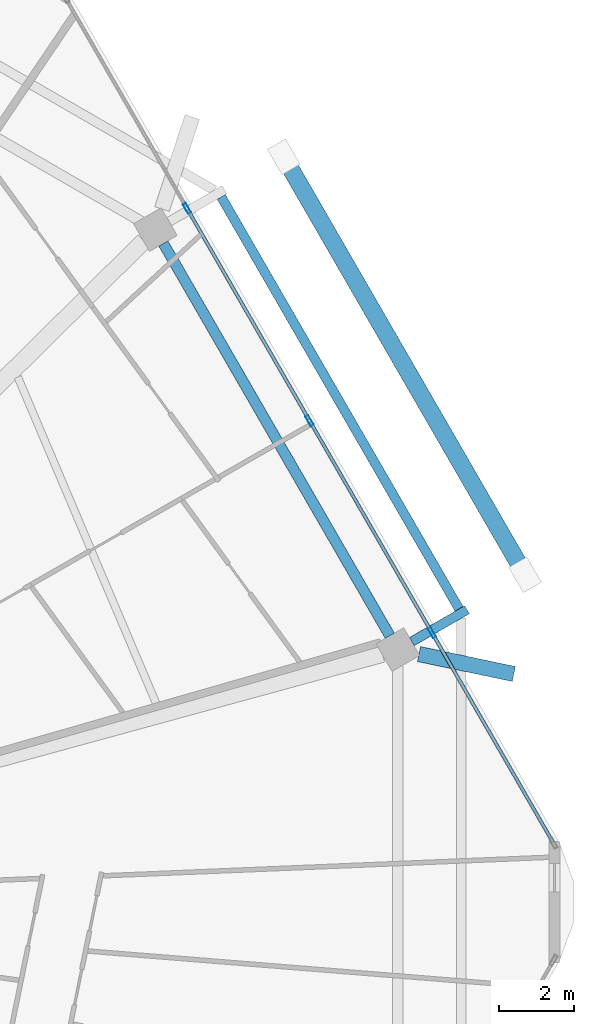
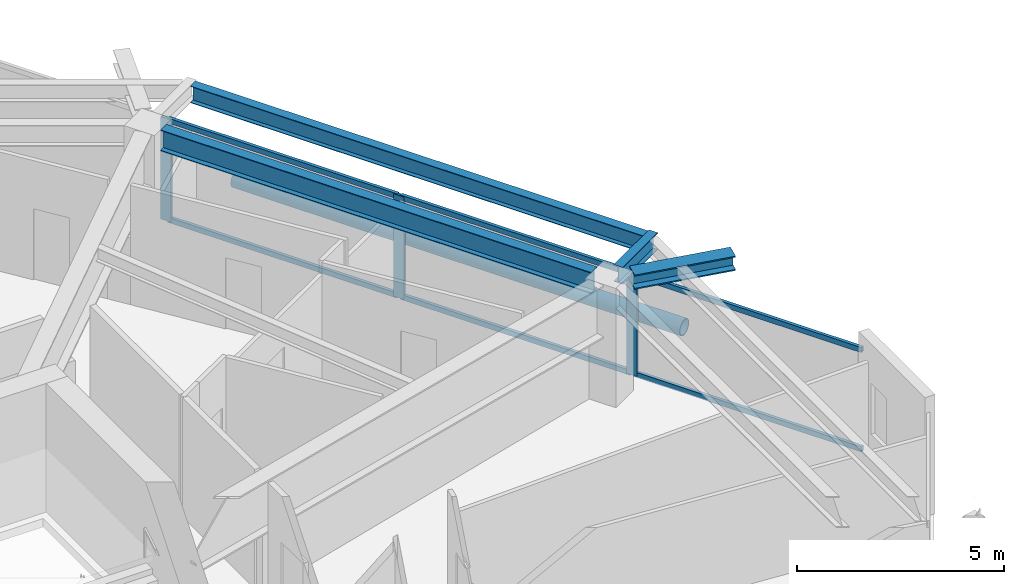
# One storey, part 16 of 26: 10 members, 4 beams, 1 element without a shape of its own.
"""IFC4 building model written with IfcOpenShell, lengths in metres."""

from ifc_helpers import new_model, si_unit, direction, frame, origin, origin_2d, place, context, subcontext, project, spatial, hollow_rectangle, hollow_circle, i_section, extrude, material, material_profile, profile_set, type_object, element, aggregate, save


model = new_model("IFC4")

# Units and contexts
model_context = context("Model", 3, precision=1e-05, world=origin(), true_north=direction((0.0, 1.0)))
body_context = subcontext(model_context, "Body", "Model", "MODEL_VIEW")
ifc_project = project(units=[si_unit("LENGTHUNIT", "METRE"), si_unit("AREAUNIT", "SQUARE_METRE"), si_unit("VOLUMEUNIT", "CUBIC_METRE"), si_unit("PLANEANGLEUNIT", "RADIAN"), si_unit("MASSUNIT", "GRAM", prefix="KILO")], contexts=[model_context])

# Site, building, storey
site_placement = place(None, origin())
site = spatial("IfcSite", under=ifc_project, at=site_placement, CompositionType="ELEMENT")
building_placement = place(site_placement, origin())
building = spatial("IfcBuilding", under=site, at=building_placement, Name="Zuhravey Tower", CompositionType="ELEMENT")
storey_placement = place(building_placement, frame((0.0, 0.0, 299.60009765625)))
storey = spatial("IfcBuildingStorey", under=building, at=storey_placement, Name="L76", CompositionType="ELEMENT", Elevation=299.60009765625)

# Curtain wall, members
ifc_material_1 = material(Name="Thermally broken anodised aluminium", Category="aluminium")
curtain_wall_type = type_object("IfcCurtainWallType", Name="Zone 3-4 High-Rise Curtain Wall CW4", PredefinedType="NOTDEFINED", material=ifc_material_1)
curtain_wall_placement = place(storey_placement, origin())
curtain_wall = element("IfcCurtainWall", 1, at=curtain_wall_placement, inside=storey, type_object=curtain_wall_type, Name="L76 CW4 CW-L76-F1-1", PredefinedType="NOTDEFINED")
ifc_material_2 = material(Name="Anodised aluminium", Category="aluminium")
ifc_material_profile_1 = material_profile(ifc_material_2, hollow_rectangle(XDim=0.090087890625, YDim=0.284912109375, WallThickness=0.0048828125, at=origin_2d()), Name="ALU-RHS-90x285x5")
ifc_profile_set_1 = profile_set([ifc_material_profile_1], Name="Anodised aluminium")
member_type_1 = type_object("IfcMemberType", Name="Curtain-Wall Mullion 90x180", PredefinedType="MULLION", material=ifc_profile_set_1)
member_1_placement = place(storey_placement, frame((54.885498046875, 50.41650390625, 0.0), z_axis=(0.0, 0.0, 1.0), x_axis=(0.866024851021, 0.500000957414, 0.0)))
member_1 = element("IfcMember", 2, at=member_1_placement, type_object=member_type_1, Name="CW4 mullion 2", PredefinedType="MULLION", context=body_context, shape_type="SweptSolid", body=[
    extrude(hollow_rectangle(XDim=0.090087890625, YDim=0.284912109375, WallThickness=0.0048828125, at=origin_2d()), origin(), (0.0, 0.0, 1.0), 3.02001953125),
])
member_2_placement = place(storey_placement, frame((58.138671875, 44.78173828125, 0.0), z_axis=(0.0, 0.0, 1.0), x_axis=(0.866024851021, 0.500000957414, 0.0)))
member_2 = element("IfcMember", 3, at=member_2_placement, type_object=member_type_1, Name="CW4 mullion 3", PredefinedType="MULLION", context=body_context, shape_type="SweptSolid", body=[
    extrude(hollow_rectangle(XDim=0.090087890625, YDim=0.284912109375, WallThickness=0.0048828125, at=origin_2d()), origin(), (0.0, 0.0, 1.0), 3.02001953125),
])
member_3_placement = place(storey_placement, frame((61.391845703125, 39.147216796875, 0.0), z_axis=(0.0, 0.0, 1.0), x_axis=(0.866024851021, 0.500000957414, 0.0)))
member_3 = element("IfcMember", 4, at=member_3_placement, type_object=member_type_1, Name="CW4 mullion 4", PredefinedType="MULLION", context=body_context, shape_type="SweptSolid", body=[
    extrude(hollow_rectangle(XDim=0.090087890625, YDim=0.284912109375, WallThickness=0.0048828125, at=origin_2d()), origin(), (0.0, 0.0, 1.0), 3.02001953125),
])
ifc_material_profile_2 = material_profile(ifc_material_2, hollow_rectangle(XDim=0.090087890625, YDim=0.14990234375, WallThickness=0.0048828125, at=origin_2d()), Name="ALU-RHS-90x150x5")
ifc_profile_set_2 = profile_set([ifc_material_profile_2], Name="Anodised aluminium")
member_type_2 = type_object("IfcMemberType", Name="Curtain-Wall Transom 90x150", PredefinedType="USERDEFINED", material=ifc_profile_set_2)
member_4_placement = place(storey_placement, frame((54.907958984375, 50.37744140625, 0.044921875), z_axis=(0.500014493347, -0.866017035885, 0.0), x_axis=(0.866017035885, 0.500014493347, 0.0)))
member_4 = element("IfcMember", 5, at=member_4_placement, type_object=member_type_2, Name="CW4 transom 2.1", ObjectType="TRANSOM", PredefinedType="USERDEFINED", context=body_context, shape_type="SweptSolid", body=[
    extrude(hollow_rectangle(XDim=0.090087890625, YDim=0.14990234375, WallThickness=0.0048828125, at=origin_2d()), origin(), (0.0, 0.0, 1.0), 6.416259765625),
])
member_5_placement = place(storey_placement, frame((54.907958984375, 50.37744140625, 2.974853515625), z_axis=(0.500014493347, -0.866017035885, 0.0), x_axis=(0.866017035885, 0.500014493347, 0.0)))
member_5 = element("IfcMember", 6, at=member_5_placement, type_object=member_type_2, Name="CW4 transom 2.2", ObjectType="TRANSOM", PredefinedType="USERDEFINED", context=body_context, shape_type="SweptSolid", body=[
    extrude(hollow_rectangle(XDim=0.090087890625, YDim=0.14990234375, WallThickness=0.0048828125, at=origin_2d()), origin(), (0.0, 0.0, 1.0), 6.416259765625),
])
member_6_placement = place(storey_placement, frame((58.1611328125, 44.742919921875, 0.044921875), z_axis=(0.499998017366, -0.866026548456, 0.0), x_axis=(0.866026548456, 0.499998017366, 0.0)))
member_6 = element("IfcMember", 7, at=member_6_placement, type_object=member_type_2, Name="CW4 transom 3.1", ObjectType="TRANSOM", PredefinedType="USERDEFINED", context=body_context, shape_type="SweptSolid", body=[
    extrude(hollow_rectangle(XDim=0.090087890625, YDim=0.14990234375, WallThickness=0.0048828125, at=origin_2d()), origin(), (0.0, 0.0, 1.0), 6.41650390625),
])
member_7_placement = place(storey_placement, frame((58.1611328125, 44.742919921875, 2.974853515625), z_axis=(0.499998017366, -0.866026548456, 0.0), x_axis=(0.866026548456, 0.499998017366, 0.0)))
member_7 = element("IfcMember", 8, at=member_7_placement, type_object=member_type_2, Name="CW4 transom 3.2", ObjectType="TRANSOM", PredefinedType="USERDEFINED", context=body_context, shape_type="SweptSolid", body=[
    extrude(hollow_rectangle(XDim=0.090087890625, YDim=0.14990234375, WallThickness=0.0048828125, at=origin_2d()), origin(), (0.0, 0.0, 1.0), 6.41650390625),
])
member_8_placement = place(storey_placement, frame((61.414306640625, 39.108154296875, 0.044921875), z_axis=(0.500008810174, -0.866020317169, 0.0), x_axis=(0.866020317169, 0.500008810174, 0.0)))
member_8 = element("IfcMember", 9, at=member_8_placement, type_object=member_type_2, Name="CW4 transom 4.1", ObjectType="TRANSOM", PredefinedType="USERDEFINED", context=body_context, shape_type="SweptSolid", body=[
    extrude(hollow_rectangle(XDim=0.090087890625, YDim=0.14990234375, WallThickness=0.0048828125, at=origin_2d()), origin(), (0.0, 0.0, 1.0), 6.37158203125),
])
member_9_placement = place(storey_placement, frame((61.414306640625, 39.108154296875, 2.974853515625), z_axis=(0.500008810174, -0.866020317169, 0.0), x_axis=(0.866020317169, 0.500008810174, 0.0)))
member_9 = element("IfcMember", 10, at=member_9_placement, type_object=member_type_2, Name="CW4 transom 4.2", ObjectType="TRANSOM", PredefinedType="USERDEFINED", context=body_context, shape_type="SweptSolid", body=[
    extrude(hollow_rectangle(XDim=0.090087890625, YDim=0.14990234375, WallThickness=0.0048828125, at=origin_2d()), origin(), (0.0, 0.0, 1.0), 6.37158203125),
])
aggregate(curtain_wall, [member_1, member_2, member_3, member_4, member_5, member_6, member_7, member_8, member_9])

# Beam
ifc_material_3 = material(Name="Steel SM460", Category="steel")
ifc_material_profile_3 = material_profile(ifc_material_3, i_section(OverallWidth=0.406982421875, OverallDepth=0.427978515625, WebThickness=0.02001953125, FlangeThickness=0.034912109375, at=origin_2d()), Name="H-428x407x20x35")
ifc_profile_set_3 = profile_set([ifc_material_profile_3], Name="Steel SM460")
beam_type_1 = type_object("IfcBeamType", Name="Exoskeleton Node Tie Beam H428x407", PredefinedType="BEAM", material=ifc_profile_set_3)
beam_1_placement = place(storey_placement, frame((61.046630859375, 38.5810546875, 3.305908203125), z_axis=(0.978735702866, -0.205125385888, 0.0), x_axis=(0.205125385888, 0.978735702866, 0.0)))
element("IfcBeam", 11, at=beam_1_placement, inside=storey, type_object=beam_type_1, Name="L76 Exoskeleton Node Tie NT1-01", PredefinedType="BEAM", context=body_context, shape_type="SweptSolid", body=[
    extrude(i_section(OverallWidth=0.406982421875, OverallDepth=0.427978515625, WebThickness=0.02001953125, FlangeThickness=0.034912109375, at=origin_2d()), origin(), (0.0, 0.0, 1.0), 2.572021484375),
])

# Member
ifc_material_4 = material(Name="Steel SM355", Category="steel")
ifc_material_profile_4 = material_profile(ifc_material_4, hollow_circle(Radius=0.228515625, WallThickness=0.02197265625, at=origin_2d()), Name="CHS-457.2x22")
ifc_profile_set_4 = profile_set([ifc_material_profile_4], Name="Steel SM355")
member_type_3 = type_object("IfcMemberType", Name="Exoskeleton Ring Tie CHS457x22", PredefinedType="CHORD", material=ifc_profile_set_4)
member_10_placement = place(storey_placement, frame((63.792724609375, 40.808837890625, -0.464111328125), z_axis=(-0.50000793057, 0.866020825019, 0.0), x_axis=(-0.866020825019, -0.50000793057, 0.0)))
element("IfcMember", 12, at=member_10_placement, inside=storey, type_object=member_type_3, Name="L76 Exoskeleton Face 1 Tie EXR1", PredefinedType="CHORD", context=body_context, shape_type="SweptSolid", body=[
    extrude(hollow_circle(Radius=0.228515625, WallThickness=0.02197265625, at=origin_2d()), origin(), (0.0, 0.0, 1.0), 12.535400390625),
])

# Beams
ifc_material_profile_5 = material_profile(ifc_material_4, i_section(OverallWidth=0.280029296875, OverallDepth=0.6201171875, WebThickness=0.011962890625, FlangeThickness=0.02001953125, at=origin_2d()), Name="H-620x280x12x20")
ifc_profile_set_5 = profile_set([ifc_material_profile_5], Name="Steel SM355")
beam_type_2 = type_object("IfcBeamType", Name="Perimeter Ring Beam H620x280", PredefinedType="BEAM", material=ifc_profile_set_5)
beam_2_placement = place(storey_placement, frame((60.2705078125, 39.069580078125, 3.2099609375), z_axis=(-0.500005971936, 0.866021955858, 0.0), x_axis=(-0.866021955858, -0.500005971936, 0.0)))
element("IfcBeam", 13, at=beam_2_placement, inside=storey, type_object=beam_type_2, Name="L76 PB3 BM-L76-PB-01", PredefinedType="BEAM", context=body_context, shape_type="SweptSolid", body=[
    extrude(i_section(OverallWidth=0.280029296875, OverallDepth=0.6201171875, WebThickness=0.011962890625, FlangeThickness=0.02001953125, at=origin_2d()), origin(), (0.0, 0.0, 1.0), 12.025634765625),
])
ifc_material_profile_6 = material_profile(ifc_material_4, i_section(OverallWidth=0.25, OverallDepth=0.5, WebThickness=0.010009765625, FlangeThickness=0.01611328125, at=origin_2d()), Name="H-500x250x10x16")
ifc_profile_set_6 = profile_set([ifc_material_profile_6], Name="Steel SM355")
beam_type_3 = type_object("IfcBeamType", Name="Tray Cantilever Spandrel H500x250", PredefinedType="SPANDREL", material=ifc_profile_set_6)
beam_3_placement = place(storey_placement, frame((60.85595703125, 38.913330078125, 3.27001953125), z_axis=(0.86605817518, 0.499943233981, 0.0), x_axis=(-0.499943233981, 0.86605817518, 0.0)))
element("IfcBeam", 14, at=beam_3_placement, inside=storey, type_object=beam_type_3, Name="L76 Sky-Tray Cantilever Arm TSB1-R01", PredefinedType="SPANDREL", context=body_context, shape_type="SweptSolid", body=[
    extrude(i_section(OverallWidth=0.25, OverallDepth=0.5, WebThickness=0.010009765625, FlangeThickness=0.01611328125, at=origin_2d()), origin(), (0.0, 0.0, 1.0), 1.691162109375),
])
beam_4_placement = place(storey_placement, frame((62.11181640625, 39.780517578125, 3.27001953125), z_axis=(-0.500022947832, 0.866012154442, 0.0), x_axis=(-0.866012154442, -0.500022947832, 0.0)))
element("IfcBeam", 15, at=beam_4_placement, inside=storey, type_object=beam_type_3, Name="L76 Sky-Tray Edge Spandrel TSB1-01", PredefinedType="SPANDREL", context=body_context, shape_type="SweptSolid", body=[
    extrude(i_section(OverallWidth=0.25, OverallDepth=0.5, WebThickness=0.010009765625, FlangeThickness=0.01611328125, at=origin_2d()), origin(), (0.0, 0.0, 1.0), 12.6357421875),
])

save(model, "model.ifc")
